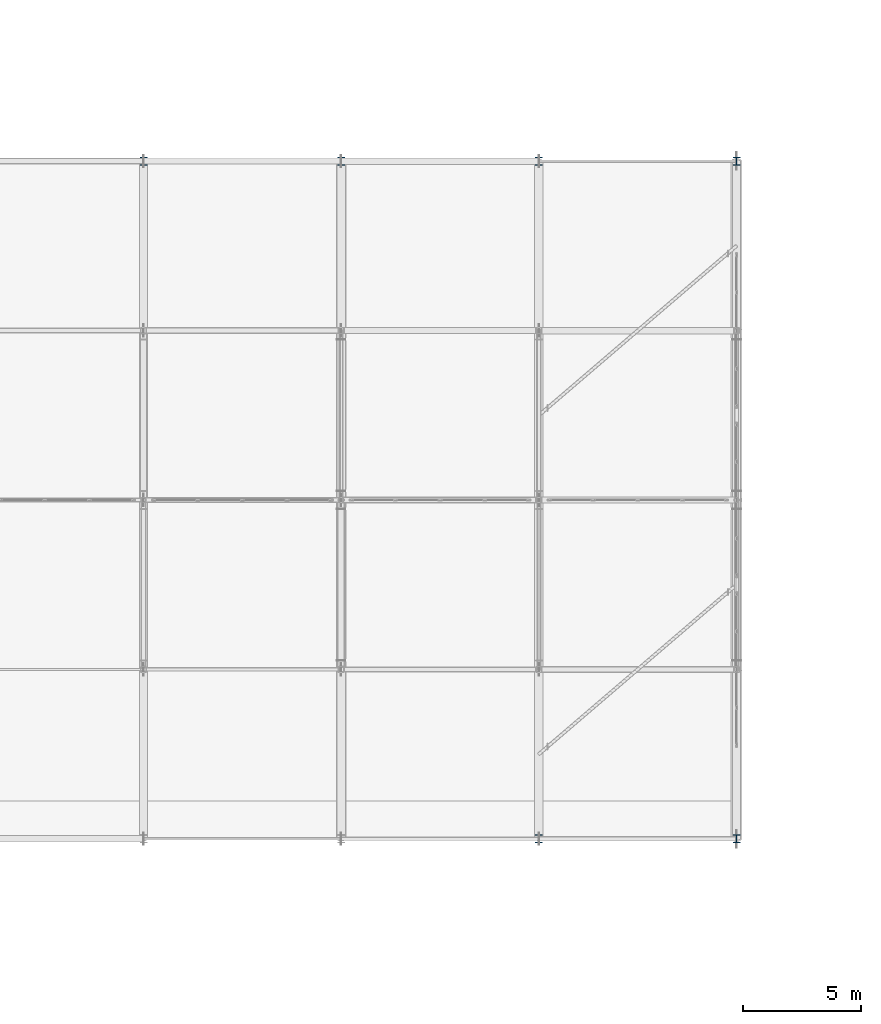
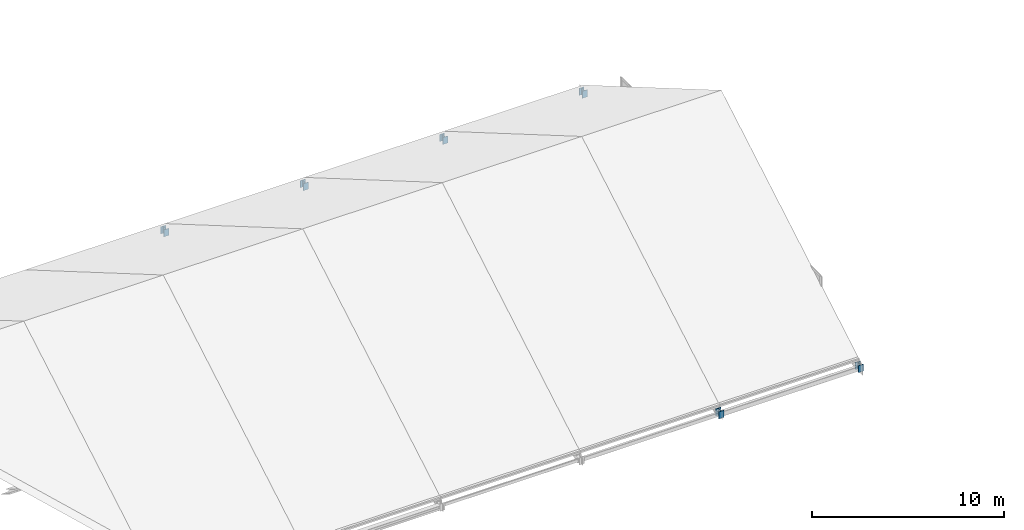
# One storey, part 37 of 54: 6 members.
"""IFC4 building model written with IfcOpenShell, lengths in metres."""

from ifc_helpers import new_model, si_unit, direction, frame, origin, origin_2d, place, context, subcontext, project, spatial, i_section, extrude, material, material_profile, profile_set, type_object, element, save


model = new_model("IFC4")

# Units and contexts
model_context = context("Model", 3, precision=1e-05, world=origin(), true_north=direction((0.0, 1.0)))
body_context = subcontext(model_context, "Body", "Model", "MODEL_VIEW")
ifc_project = project(units=[si_unit("LENGTHUNIT", "METRE"), si_unit("AREAUNIT", "SQUARE_METRE"), si_unit("VOLUMEUNIT", "CUBIC_METRE"), si_unit("PLANEANGLEUNIT", "RADIAN"), si_unit("MASSUNIT", "GRAM", prefix="KILO")], contexts=[model_context])

# Site, building, storey
site_placement = place(None, origin())
site = spatial("IfcSite", under=ifc_project, at=site_placement, CompositionType="ELEMENT")
building_placement = place(site_placement, origin())
building = spatial("IfcBuilding", under=site, at=building_placement, Name="Zulmaris Art Gallery", CompositionType="ELEMENT")
storey_placement = place(building_placement, frame((0.0, 0.0, 26.39990234375)))
storey = spatial("IfcBuildingStorey", under=building, at=storey_placement, Name="L05", CompositionType="ELEMENT", Elevation=26.39990234375)

# Members
ifc_material = material(Name="Steel S355J2", Category="steel")
ifc_material_profile = material_profile(ifc_material, i_section(OverallWidth=0.300048828125, OverallDepth=0.340087890625, WebThickness=0.011962890625, FlangeThickness=0.021484375, FilletRadius=0.027099609375, at=origin_2d()), Name="HEB 340")
ifc_profile_set = profile_set([ifc_material_profile], Name="Steel S355J2")
member_type = type_object("IfcMemberType", Name="MEM-TP04", PredefinedType="POST", material=ifc_profile_set)
for number, where, z_axis, x_axis, name in (
    (1, (57.60009765625, 50.39990234375, -0.699951171875), (0.0, 0.0, 1.0), (1.0, 0.0, 0.0), "Pitched gallery truss TR-R07 bearing shoe 5"),
    (2, (66.0, 50.39990234375, -0.699951171875), (0.0, 0.0, 1.0), (1.0, 0.0, 0.0), "Pitched gallery truss TR-R08 bearing shoe 5"),
    (3, (74.39990234375, 21.60009765625, -0.699951171875), (0.0, 0.0, 1.0), (1.0, 0.0, 0.0), "Pitched gallery truss TR-R09 bearing shoe 1"),
    (4, (74.39990234375, 50.39990234375, -0.699951171875), (0.0, 0.0, 1.0), (1.0, 0.0, 0.0), "Pitched gallery truss TR-R09 bearing shoe 5"),
    (5, (82.800048828125, 21.60009765625, -0.699951171875), (0.0, 0.0, 1.0), (1.0, 0.0, 0.0), "Pitched gallery truss TR-R10 bearing shoe 1"),
    (6, (82.800048828125, 50.39990234375, -0.699951171875), (0.0, 0.0, 1.0), (1.0, 0.0, 0.0), "Pitched gallery truss TR-R10 bearing shoe 5"),
):
    element("IfcMember", number, at=place(storey_placement, frame(where, z_axis=z_axis, x_axis=x_axis)), inside=storey, type_object=member_type, Name=name, PredefinedType="POST", context=body_context, shape_type="SweptSolid", body=[
        extrude(i_section(OverallWidth=0.300048828125, OverallDepth=0.340087890625, WebThickness=0.011962890625, FlangeThickness=0.021484375, FilletRadius=0.027099609375, at=origin_2d()), origin(), (0.0, 0.0, 1.0), 0.449951171875),
    ])

save(model, "model.ifc")
